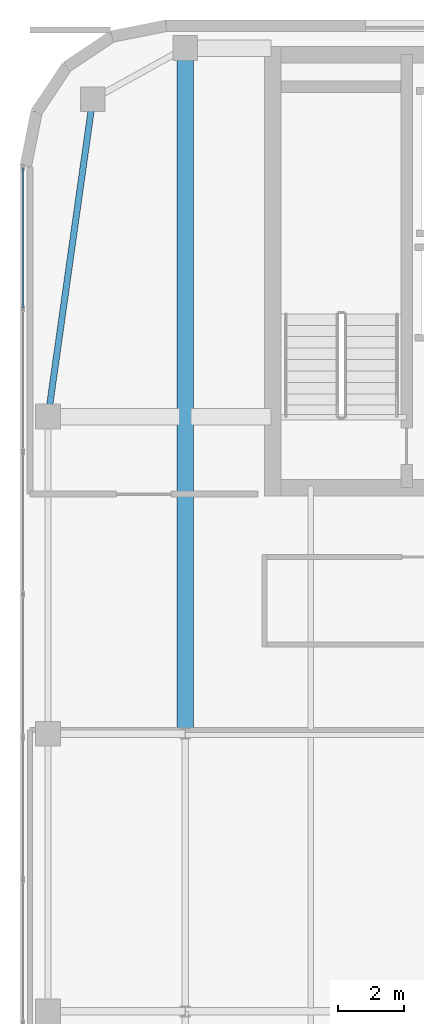
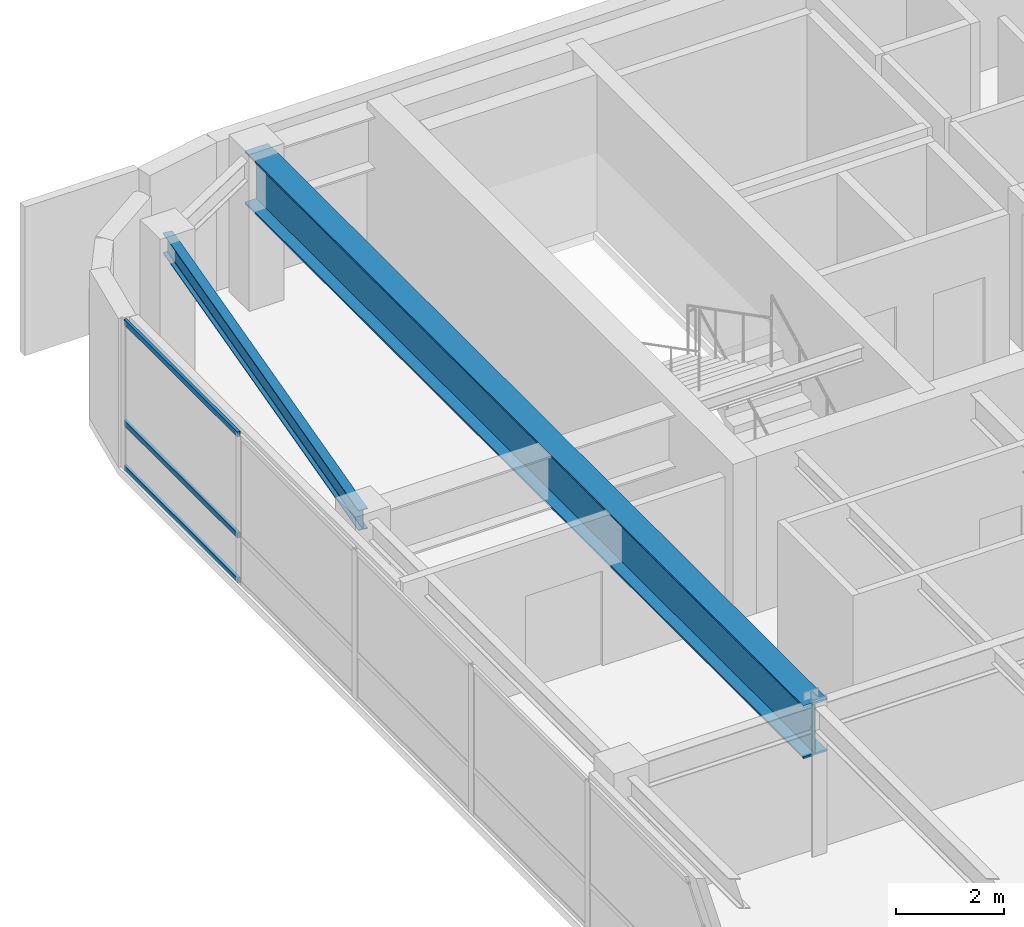
# One storey, part 12 of 19: 3 members, 2 beams, 1 element without a shape of its own.
"""IFC4 building model written with IfcOpenShell, lengths in metres."""

from ifc_helpers import new_model, si_unit, direction, frame, origin, origin_2d, place, context, subcontext, project, spatial, hollow_rectangle, i_section, extrude, source, transform, mapped, material, layer, layer_set, material_profile, profile_set, type_object, type_shapes, element, aggregate, save


model = new_model("IFC4")

# Units and contexts
model_context = context("Model", 3, precision=1e-05, world=origin(), true_north=direction((0.0, 1.0)))
body_context = subcontext(model_context, "Body", "Model", "MODEL_VIEW")
ifc_project = project(units=[si_unit("LENGTHUNIT", "METRE"), si_unit("AREAUNIT", "SQUARE_METRE"), si_unit("VOLUMEUNIT", "CUBIC_METRE"), si_unit("PLANEANGLEUNIT", "RADIAN"), si_unit("MASSUNIT", "GRAM", prefix="KILO")], contexts=[model_context])

# Site, building, storey
site_placement = place(None, origin())
site = spatial("IfcSite", under=ifc_project, at=site_placement, CompositionType="ELEMENT")
building_placement = place(site_placement, origin())
building = spatial("IfcBuilding", under=site, at=building_placement, Name="Tolvann Quenvar Hotel", CompositionType="ELEMENT")
storey_placement = place(building_placement, frame((0.0, 0.0, 223.89990234375)))
storey = spatial("IfcBuildingStorey", under=building, at=storey_placement, Name="L59", CompositionType="ELEMENT", Elevation=223.89990234375)

# Beams
ifc_material_1 = material(Name="Steel Grade 350", Category="steel")
ifc_material_profile_1 = material_profile(ifc_material_1, i_section(OverallWidth=0.5, OverallDepth=1.199951171875, WebThickness=0.01611328125, FlangeThickness=0.0400390625, at=origin_2d()), Name="1200WB455")
ifc_profile_set_1 = profile_set([ifc_material_profile_1], Name="Steel Grade 350")
beam_type_1 = type_object("IfcBeamType", Name="BM_TG_1200WB455", PredefinedType="USERDEFINED", material=ifc_profile_set_1)
shared_shape_1 = source(origin(), body_context, "Body", "SweptSolid", [
    extrude(i_section(OverallWidth=0.5, OverallDepth=1.199951171875, WebThickness=0.01611328125, FlangeThickness=0.0400390625, at=origin_2d()), origin(), (0.0, 0.0, 1.0), 20.75),
])
type_shapes(beam_type_1, [shared_shape_1])
beam_1_placement = place(storey_placement, frame((7.60009765625, 24.39990234375, 2.77001953125), z_axis=(0.0, 1.0, 0.0), x_axis=(-1.0, 0.0, 0.0)))
element("IfcBeam", 1, at=beam_1_placement, inside=storey, type_object=beam_type_1, Name="BM-L59-FLK-WC", ObjectType="TRANSFER GIRDER", PredefinedType="USERDEFINED", context=body_context, shape_type="MappedRepresentation", body=[
    mapped(shared_shape_1, transform((0.0, 0.0, 0.0), x_axis=(1.0, 0.0, 0.0), y_axis=(0.0, 1.0, 0.0), z_axis=(0.0, 0.0, 1.0), scale=1.0)),
])
ifc_material_profile_2 = material_profile(ifc_material_1, i_section(OverallWidth=0.19091796875, OverallDepth=0.4599609375, WebThickness=0.010009765625, FlangeThickness=0.01611328125, FilletRadius=0.011474609375, at=origin_2d()), Name="460UB82")
ifc_profile_set_2 = profile_set([ifc_material_profile_2], Name="Steel Grade 350")
beam_type_2 = type_object("IfcBeamType", Name="BM_SPAND_460UB82", PredefinedType="SPANDREL", material=ifc_profile_set_2)
shared_shape_2 = source(origin(), body_context, "Body", "SweptSolid", [
    extrude(i_section(OverallWidth=0.19091796875, OverallDepth=0.4599609375, WebThickness=0.010009765625, FlangeThickness=0.01611328125, FilletRadius=0.011474609375, at=origin_2d()), origin(), (0.0, 0.0, 1.0), 9.694580078125),
])
type_shapes(beam_type_2, [shared_shape_2])
beam_2_placement = place(storey_placement, frame((3.449951171875, 34.0, 3.14013671875), z_axis=(0.139263320262, 0.990255385055, 0.0), x_axis=(-0.990255385055, 0.139263320262, 0.0)))
element("IfcBeam", 2, at=beam_2_placement, inside=storey, type_object=beam_type_2, Name="BM-L59-FLK-W2", PredefinedType="SPANDREL", context=body_context, shape_type="MappedRepresentation", body=[
    mapped(shared_shape_2, transform((0.0, 0.0, 0.0), x_axis=(1.0, 0.0, 0.0), y_axis=(0.0, 1.0, 0.0), z_axis=(0.0, 0.0, 1.0), scale=1.0)),
])

# Curtain wall, members
ifc_material_2 = material(Name="Thermally broken anodised architectural aluminium 6063-T6 and laminated low-E glass", Category="aluminium")
ifc_layer = layer(ifc_material_2, 0.179931640625)
ifc_layer_set = layer_set([ifc_layer], Name="Thermally broken anodised architectural aluminium 6063-T6 and laminated low-E glass")
curtain_wall_type = type_object("IfcCurtainWallType", Name="CW_SYS_BAND_04", PredefinedType="USERDEFINED", material=ifc_layer_set)
curtain_wall_placement = place(storey_placement, origin())
curtain_wall = element("IfcCurtainWall", 3, at=curtain_wall_placement, inside=storey, type_object=curtain_wall_type, Name="Curtain Wall CW-BAND-04 (CWR-L59-E19)", ObjectType="UNITISED CURTAIN WALL", PredefinedType="USERDEFINED")
ifc_material_3 = material(Name="Anodised architectural aluminium 6063-T6 framing", Category="aluminium")
ifc_material_profile_3 = material_profile(ifc_material_3, hollow_rectangle(XDim=0.06005859375, YDim=0.1201171875, WallThickness=0.00341796875, at=origin_2d()), Name="120x60x3.5RHS")
ifc_profile_set_3 = profile_set([ifc_material_profile_3], Name="Anodised architectural aluminium 6063-T6 framing")
member_type = type_object("IfcMemberType", Name="CW_TRAN_120x60", PredefinedType="USERDEFINED", material=ifc_profile_set_3)
shared_shape_3 = source(origin(), body_context, "Body", "SweptSolid", [
    extrude(hollow_rectangle(XDim=0.06005859375, YDim=0.1201171875, WallThickness=0.00341796875, at=origin_2d()), origin(), (0.0, 0.0, 1.0), 4.215576171875),
])
type_shapes(member_type, [shared_shape_3])
member_1_placement = place(storey_placement, frame((2.68994140625, 41.5126953125, 0.030029296875), z_axis=(0.0, -1.0, 0.0), x_axis=(1.0, 0.0, 0.0)))
member_1 = element("IfcMember", 4, at=member_1_placement, type_object=member_type, Name="CW-BAND-04 transom 1.1", ObjectType="TRANSOM", PredefinedType="USERDEFINED", context=body_context, shape_type="MappedRepresentation", body=[
    mapped(shared_shape_3, transform((0.0, 0.0, 0.0), x_axis=(1.0, 0.0, 0.0), y_axis=(0.0, 1.0, 0.0), z_axis=(0.0, 0.0, 1.0), scale=1.0)),
])
member_2_placement = place(storey_placement, frame((2.68994140625, 41.5126953125, 1.050048828125), z_axis=(0.0, -1.0, 0.0), x_axis=(1.0, 0.0, 0.0)))
member_2 = element("IfcMember", 5, at=member_2_placement, type_object=member_type, Name="CW-BAND-04 transom 1.2", ObjectType="TRANSOM", PredefinedType="USERDEFINED", context=body_context, shape_type="MappedRepresentation", body=[
    mapped(shared_shape_3, transform((0.0, 0.0, 0.0), x_axis=(1.0, 0.0, 0.0), y_axis=(0.0, 1.0, 0.0), z_axis=(0.0, 0.0, 1.0), scale=1.0)),
])
member_3_placement = place(storey_placement, frame((2.68994140625, 41.5126953125, 3.340087890625), z_axis=(0.0, -1.0, 0.0), x_axis=(1.0, 0.0, 0.0)))
member_3 = element("IfcMember", 6, at=member_3_placement, type_object=member_type, Name="CW-BAND-04 transom 1.3", ObjectType="TRANSOM", PredefinedType="USERDEFINED", context=body_context, shape_type="MappedRepresentation", body=[
    mapped(shared_shape_3, transform((0.0, 0.0, 0.0), x_axis=(1.0, 0.0, 0.0), y_axis=(0.0, 1.0, 0.0), z_axis=(0.0, 0.0, 1.0), scale=1.0)),
])
aggregate(curtain_wall, [member_1, member_2, member_3])

save(model, "model.ifc")
